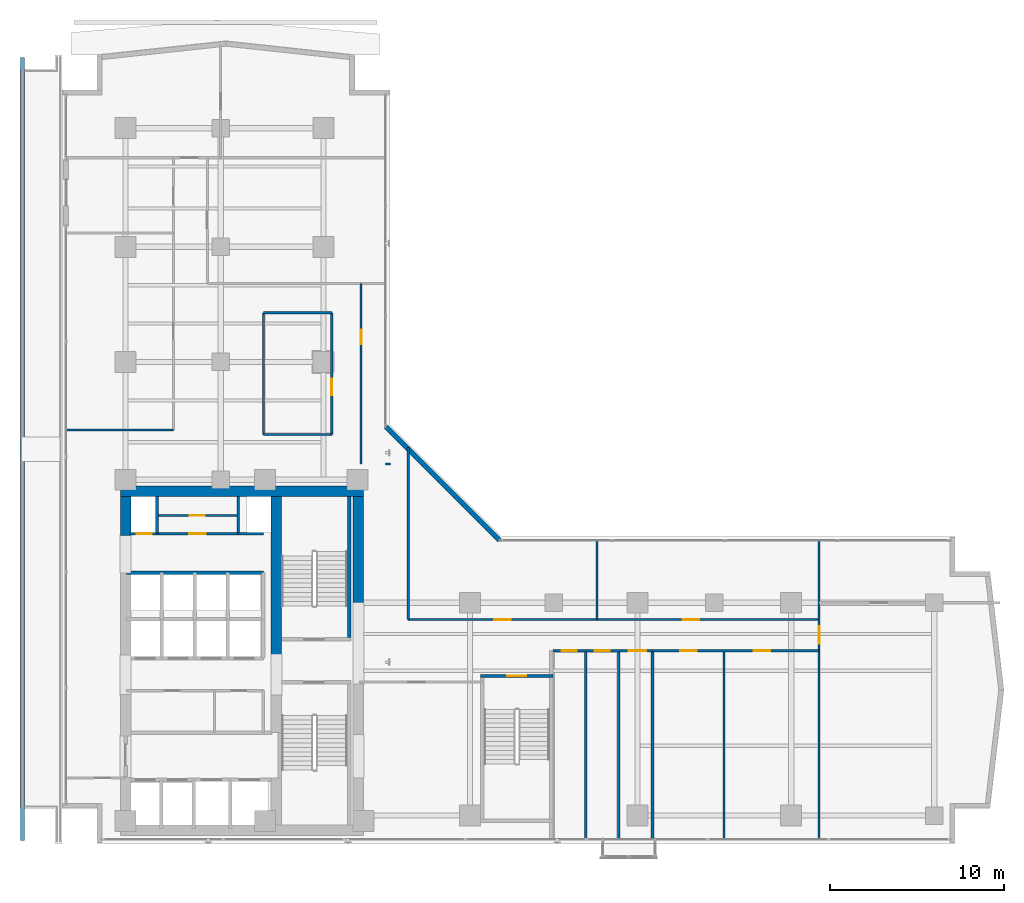
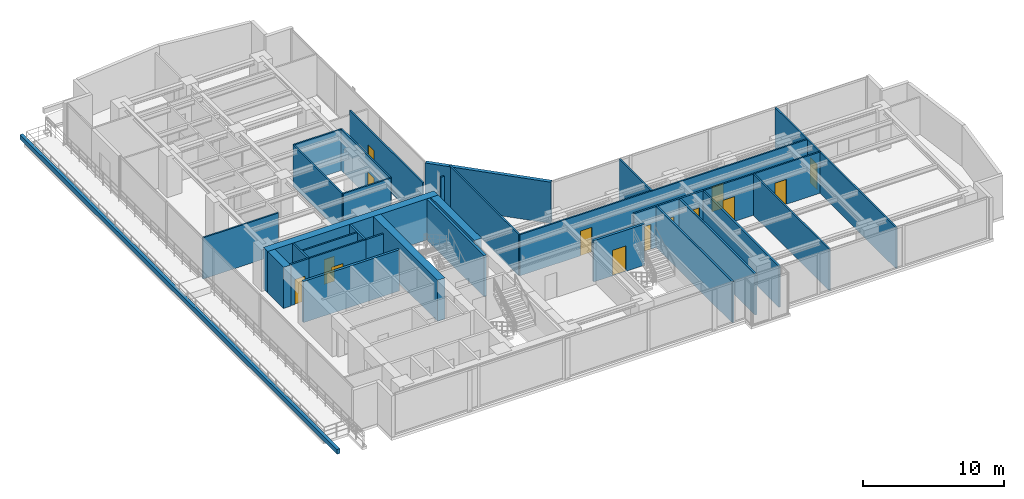
# One storey, part 21 of 28: 32 walls, 14 doors, 14 openings.
"""IFC4 building model written with IfcOpenShell, lengths in metres."""

from ifc_helpers import new_model, si_unit, direction, frame, frame_2d, origin, place, context, subcontext, project, spatial, rectangle, extrude, material, layer, layer_set, type_object, element, fill, save


model = new_model("IFC4")

# Units and contexts
model_context = context("Model", 3, precision=1e-05, world=origin(), true_north=direction((0.0, 1.0)))
body_context = subcontext(model_context, "Body", "Model", "MODEL_VIEW")
ifc_project = project(units=[si_unit("LENGTHUNIT", "METRE"), si_unit("AREAUNIT", "SQUARE_METRE"), si_unit("VOLUMEUNIT", "CUBIC_METRE"), si_unit("PLANEANGLEUNIT", "RADIAN"), si_unit("MASSUNIT", "GRAM", prefix="KILO")], contexts=[model_context])

# Site, building, storey
site_placement = place(None, origin())
site = spatial("IfcSite", under=ifc_project, at=site_placement, CompositionType="ELEMENT")
building_placement = place(site_placement, origin())
building = spatial("IfcBuilding", under=site, at=building_placement, Name="Kolvaren Waterfront Exchange", CompositionType="ELEMENT")
storey_placement = place(building_placement, frame((0.0, 0.0, 146.199951171875)))
storey = spatial("IfcBuildingStorey", under=building, at=storey_placement, Name="L37", CompositionType="ELEMENT", Elevation=146.199951171875)

# Walls
ifc_material_1 = material(Name="Precast concrete C40/50", Category="concrete")
ifc_layer_1 = layer(ifc_material_1, 0.280029296875, Name="Precast concrete C40/50")
ifc_layer_set_1 = layer_set([ifc_layer_1], Name="Precast concrete C40/50")
wall_type_1 = type_object("IfcWallType", Name="ARC-EXT-TERR-280", PredefinedType="SOLIDWALL", material=ifc_layer_set_1)
wall_1_placement = place(storey_placement, frame((28.885009765625, 20.97509765625, 0.0), z_axis=(0.0, 0.0, 1.0), x_axis=(-0.707106781187, 0.707106781187, 0.0)))
element("IfcWall", 1, at=wall_1_placement, inside=storey, type_object=wall_type_1, Name="L37 notched corner spandrel pier ELBOW", PredefinedType="SOLIDWALL", context=body_context, shape_type="SweptSolid", body=[
    extrude(rectangle(XDim=9.20654296875, YDim=0.280029296875, at=frame_2d((4.603271484375, 0.0))), origin(), (0.0, 0.0, 1.0), 3.56005859375),
])
ifc_layer_2 = layer(ifc_material_1, 0.239990234375, Name="Precast concrete C40/50")
ifc_layer_set_2 = layer_set([ifc_layer_2], Name="Precast concrete C40/50")
wall_type_2 = type_object("IfcWallType", Name="ARC-PARAPET-240", PredefinedType="PARAPET", material=ifc_layer_set_2)
wall_2_placement = place(storey_placement, frame((1.550048828125, 3.760009765625, 0.0), z_axis=(0.0, 0.0, 1.0), x_axis=(0.0, 1.0, 0.0)))
element("IfcWall", 2, at=wall_2_placement, inside=storey, type_object=wall_type_2, Name="L37 setback parapet kerb 2", PredefinedType="PARAPET", context=body_context, shape_type="SweptSolid", body=[
    extrude(rectangle(XDim=44.8798828125, YDim=0.239990234375, at=frame_2d((22.43994140625, 0.0))), origin(), (0.0, 0.0, 1.0), 0.420166015625),
])

# Wall, opening, door
ifc_material_2 = material(Name="Acoustic gypsum steel stud", Category="steel")
ifc_layer_3 = layer(ifc_material_2, 0.125, Name="Acoustic gypsum steel stud")
ifc_layer_set_3 = layer_set([ifc_layer_3], Name="Acoustic gypsum steel stud")
wall_type_3 = type_object("IfcWallType", Name="ARC-PART-125", PredefinedType="PARTITIONING", material=ifc_layer_set_3)
wall_3_placement = place(storey_placement, frame((9.25, 21.35009765625, 0.0), z_axis=(0.0, 0.0, 1.0), x_axis=(1.0, 0.0, 0.0)))
wall_3 = element("IfcWall", 3, at=wall_3_placement, inside=storey, type_object=wall_type_3, Name="L37 interior wall PW-L37-SVC-EX-S", PredefinedType="PARTITIONING", context=body_context, shape_type="SweptSolid", body=[
    extrude(rectangle(XDim=4.64990234375, YDim=0.125, at=frame_2d((2.324951171875, 0.0))), origin(), (0.0, 0.0, 1.0), 3.56005859375),
])
opening_1_placement = place(wall_3_placement, frame((1.85009765625, 0.0, 0.0)))
opening_1 = element("IfcOpeningElement", 4, at=opening_1_placement, cuts=wall_3, Name="Opening D02", PredefinedType="OPENING", context=body_context, shape_type="SweptSolid", body=[
    extrude(rectangle(XDim=0.949951171875, YDim=2.14990234375, at=frame_2d((0.47509765625, 1.074951171875))), frame((0.0, 0.072509765625, 0.0), z_axis=(0.0, -1.0, 0.0), x_axis=(1.0, 0.0, 0.0)), (0.0, 0.0, 1.0), 0.14501953125),
])
ifc_material_3 = material(Name="Oak veneer acoustic timber", Category="wood")
door_type_1 = type_object("IfcDoorType", Name="ARC-DR-950", OperationType="NOTDEFINED", PredefinedType="DOOR", material=ifc_material_3)
door_1_placement = place(opening_1_placement, origin())
door_1 = element("IfcDoor", 5, at=door_1_placement, inside=storey, type_object=door_type_1, Name="L37 door DR-L37-SVC-DR-1 (D02)", OperationType="SINGLE_SWING_RIGHT", OverallHeight=2.14990234375, OverallWidth=0.949951171875, PredefinedType="DOOR", context=body_context, shape_type="SweptSolid", body=[
    extrude(rectangle(XDim=0.949951171875, YDim=2.14990234375, at=frame_2d((0.47509765625, 1.074951171875))), frame((0.0, 0.02490234375, 0.0), z_axis=(0.0, -1.0, 0.0), x_axis=(1.0, 0.0, 0.0)), (0.0, 0.0, 1.0), 0.050048828125),
])
fill(opening_1, door_1)

wall_4_placement = place(storey_placement, frame((9.25, 22.39990234375, 0.0), z_axis=(0.0, 0.0, 1.0), x_axis=(1.0, 0.0, 0.0)))
wall_4 = element("IfcWall", 6, at=wall_4_placement, inside=storey, type_object=wall_type_3, Name="L37 interior wall PW-L37-SVC-EX-HS", PredefinedType="PARTITIONING", context=body_context, shape_type="SweptSolid", body=[
    extrude(rectangle(XDim=4.64990234375, YDim=0.125, at=frame_2d((2.324951171875, 0.0))), origin(), (0.0, 0.0, 1.0), 3.56005859375),
])
opening_2_placement = place(wall_4_placement, frame((1.875, 0.0, 0.0)))
opening_2 = element("IfcOpeningElement", 7, at=opening_2_placement, cuts=wall_4, Name="Opening D01", PredefinedType="OPENING", context=body_context, shape_type="SweptSolid", body=[
    extrude(rectangle(XDim=0.85009765625, YDim=2.14990234375, at=frame_2d((0.425048828125, 1.074951171875))), frame((0.0, 0.072509765625, 0.0), z_axis=(0.0, -1.0, 0.0), x_axis=(1.0, 0.0, 0.0)), (0.0, 0.0, 1.0), 0.14501953125),
])
ifc_material_4 = material(Name="Oak veneer timber leaf", Category="wood")
door_type_2 = type_object("IfcDoorType", Name="ARC-DR-900", OperationType="NOTDEFINED", PredefinedType="DOOR", material=ifc_material_4)
door_2_placement = place(opening_2_placement, origin())
door_2 = element("IfcDoor", 8, at=door_2_placement, inside=storey, type_object=door_type_2, Name="L37 door DR-L37-SVC-DR-2 (D01)", OperationType="SINGLE_SWING_LEFT", OverallHeight=2.14990234375, OverallWidth=0.85009765625, PredefinedType="DOOR", context=body_context, shape_type="SweptSolid", body=[
    extrude(rectangle(XDim=0.85009765625, YDim=2.14990234375, at=frame_2d((0.425048828125, 1.074951171875))), frame((0.0, 0.02490234375, 0.0), z_axis=(0.0, -1.0, 0.0), x_axis=(1.0, 0.0, 0.0)), (0.0, 0.0, 1.0), 0.050048828125),
])
fill(opening_2, door_2)

# Walls
for number, where, z_axis, x_axis, name in (
    (9, (15.35009765625, 27.050048828125, 0.0), (0.0, 0.0, 1.0), (1.0, 0.0, 0.0), "L37 interior wall PW-L37-ISL-S"),
    (10, (15.35009765625, 34.02001953125, 0.0), (0.0, 0.0, 1.0), (1.0, 0.0, 0.0), "L37 interior wall PW-L37-ISL-N"),
):
    element("IfcWall", number, at=place(storey_placement, frame(where, z_axis=z_axis, x_axis=x_axis)), inside=storey, type_object=wall_type_3, Name=name, PredefinedType="PARTITIONING", context=body_context, shape_type="SweptSolid", body=[
        extrude(rectangle(XDim=3.919921875, YDim=0.125, at=frame_2d((1.9599609375, 0.0))), origin(), (0.0, 0.0, 1.0), 3.56005859375),
    ])
wall_5_placement = place(storey_placement, frame((15.35009765625, 27.050048828125, 0.0), z_axis=(0.0, 0.0, 1.0), x_axis=(0.0, 1.0, 0.0)))
element("IfcWall", 11, at=wall_5_placement, inside=storey, type_object=wall_type_3, Name="L37 interior wall PW-L37-ISL-W", PredefinedType="PARTITIONING", context=body_context, shape_type="SweptSolid", body=[
    extrude(rectangle(XDim=6.969970703125, YDim=0.125, at=frame_2d((3.48486328125, 0.0))), origin(), (0.0, 0.0, 1.0), 3.56005859375),
])

# Wall, opening, door
wall_6_placement = place(storey_placement, frame((19.27001953125, 27.050048828125, 0.0), z_axis=(0.0, 0.0, 1.0), x_axis=(0.0, 1.0, 0.0)))
wall_6 = element("IfcWall", 12, at=wall_6_placement, inside=storey, type_object=wall_type_3, Name="L37 interior wall PW-L37-ISL-E", PredefinedType="PARTITIONING", context=body_context, shape_type="SweptSolid", body=[
    extrude(rectangle(XDim=6.969970703125, YDim=0.125, at=frame_2d((3.48486328125, 0.0))), origin(), (0.0, 0.0, 1.0), 3.56005859375),
])
opening_3_placement = place(wall_6_placement, frame((2.23681640625, 0.0, 0.0)))
opening_3 = element("IfcOpeningElement", 13, at=opening_3_placement, cuts=wall_6, Name="Opening D02", PredefinedType="OPENING", context=body_context, shape_type="SweptSolid", body=[
    extrude(rectangle(XDim=0.949951171875, YDim=2.14990234375, at=frame_2d((0.47509765625, 1.074951171875))), frame((0.0, 0.072509765625, 0.0), z_axis=(0.0, -1.0, 0.0), x_axis=(1.0, 0.0, 0.0)), (0.0, 0.0, 1.0), 0.14501953125),
])
door_3_placement = place(opening_3_placement, origin())
door_3 = element("IfcDoor", 14, at=door_3_placement, inside=storey, type_object=door_type_1, Name="L37 door DR-L37-ISL-D (D02)", OperationType="SINGLE_SWING_RIGHT", OverallHeight=2.14990234375, OverallWidth=0.949951171875, PredefinedType="DOOR", context=body_context, shape_type="SweptSolid", body=[
    extrude(rectangle(XDim=0.949951171875, YDim=2.14990234375, at=frame_2d((0.47509765625, 1.074951171875))), frame((0.0, 0.02490234375, 0.0), z_axis=(0.0, -1.0, 0.0), x_axis=(1.0, 0.0, 0.0)), (0.0, 0.0, 1.0), 0.050048828125),
])
fill(opening_3, door_3)

wall_7_placement = place(storey_placement, frame((20.949951171875, 25.35009765625, 0.0), z_axis=(0.0, 0.0, 1.0), x_axis=(0.0, 1.0, 0.0)))
wall_7 = element("IfcWall", 15, at=wall_7_placement, inside=storey, type_object=wall_type_3, Name="L37 interior wall PW-L37-RFLANK-W", PredefinedType="PARTITIONING", context=body_context, shape_type="SweptSolid", body=[
    extrude(rectangle(XDim=10.349853515625, YDim=0.125, at=frame_2d((5.1748046875, 0.0))), origin(), (0.0, 0.0, 1.0), 3.56005859375),
])
opening_4_placement = place(wall_7_placement, frame((6.859375, 0.0, 0.0)))
opening_4 = element("IfcOpeningElement", 16, at=opening_4_placement, cuts=wall_7, Name="Opening D01", PredefinedType="OPENING", context=body_context, shape_type="SweptSolid", body=[
    extrude(rectangle(XDim=0.85009765625, YDim=2.14990234375, at=frame_2d((0.425048828125, 1.074951171875))), frame((0.0, 0.072509765625, 0.0), z_axis=(0.0, -1.0, 0.0), x_axis=(1.0, 0.0, 0.0)), (0.0, 0.0, 1.0), 0.14501953125),
])
door_4_placement = place(opening_4_placement, origin())
door_4 = element("IfcDoor", 17, at=door_4_placement, inside=storey, type_object=door_type_2, Name="L37 door DR-L37-RFLANK-D (D01)", OperationType="SINGLE_SWING_RIGHT", OverallHeight=2.14990234375, OverallWidth=0.85009765625, PredefinedType="DOOR", context=body_context, shape_type="SweptSolid", body=[
    extrude(rectangle(XDim=0.85009765625, YDim=2.14990234375, at=frame_2d((0.425048828125, 1.074951171875))), frame((0.0, 0.02490234375, 0.0), z_axis=(0.0, -1.0, 0.0), x_axis=(1.0, 0.0, 0.0)), (0.0, 0.0, 1.0), 0.050048828125),
])
fill(opening_4, door_4)

# Wall
wall_8_placement = place(storey_placement, frame((22.64990234375, 25.35009765625, 0.0), z_axis=(0.0, 0.0, 1.0), x_axis=(-1.0, 0.0, 0.0)))
element("IfcWall", 18, at=wall_8_placement, inside=storey, type_object=wall_type_3, Name="L37 interior wall PW-L37-RFLANK-S", PredefinedType="PARTITIONING", context=body_context, shape_type="SweptSolid", body=[
    extrude(rectangle(XDim=0.289794921875, YDim=0.125, at=frame_2d((0.14501953125, 0.0))), origin(), (0.0, 0.0, 1.0), 3.56005859375),
])

# Wall, openings, doors
wall_9_placement = place(storey_placement, frame((37.64990234375, 14.64990234375, 0.0), z_axis=(0.0, 0.0, 1.0), x_axis=(1.0, 0.0, 0.0)))
wall_9 = element("IfcWall", 19, at=wall_9_placement, inside=storey, type_object=wall_type_3, Name="L37 interior wall PW-L37-ES-CORR", PredefinedType="PARTITIONING", context=body_context, shape_type="SweptSolid", body=[
    extrude(rectangle(XDim=9.550048828125, YDim=0.125, at=frame_2d((4.77490234375, 0.0))), origin(), (0.0, 0.0, 1.0), 3.56005859375),
])
opening_5_placement = place(wall_9_placement, frame((1.580078125, 0.0, 0.0)))
opening_5 = element("IfcOpeningElement", 20, at=opening_5_placement, cuts=wall_9, Name="Opening D02", PredefinedType="OPENING", context=body_context, shape_type="SweptSolid", body=[
    extrude(rectangle(XDim=0.949951171875, YDim=2.14990234375, at=frame_2d((0.47509765625, 1.074951171875))), frame((0.0, 0.072509765625, 0.0), z_axis=(0.0, -1.0, 0.0), x_axis=(1.0, 0.0, 0.0)), (0.0, 0.0, 1.0), 0.14501953125),
])
opening_6_placement = place(wall_9_placement, frame((5.807861328125, 0.0, 0.0)))
opening_6 = element("IfcOpeningElement", 21, at=opening_6_placement, cuts=wall_9, Name="Opening D02", PredefinedType="OPENING", context=body_context, shape_type="SweptSolid", body=[
    extrude(rectangle(XDim=0.949951171875, YDim=2.14990234375, at=frame_2d((0.47509765625, 1.074951171875))), frame((0.0, 0.072509765625, 0.0), z_axis=(0.0, -1.0, 0.0), x_axis=(1.0, 0.0, 0.0)), (0.0, 0.0, 1.0), 0.14501953125),
])
door_5_placement = place(opening_5_placement, origin())
door_5 = element("IfcDoor", 22, at=door_5_placement, inside=storey, type_object=door_type_1, Name="L37 door DR-L37-ES-D-1 (D02)", OperationType="SINGLE_SWING_LEFT", OverallHeight=2.14990234375, OverallWidth=0.949951171875, PredefinedType="DOOR", context=body_context, shape_type="SweptSolid", body=[
    extrude(rectangle(XDim=0.949951171875, YDim=2.14990234375, at=frame_2d((0.47509765625, 1.074951171875))), frame((0.0, 0.02490234375, 0.0), z_axis=(0.0, -1.0, 0.0), x_axis=(1.0, 0.0, 0.0)), (0.0, 0.0, 1.0), 0.050048828125),
])
fill(opening_5, door_5)
door_6_placement = place(opening_6_placement, origin())
door_6 = element("IfcDoor", 23, at=door_6_placement, inside=storey, type_object=door_type_1, Name="L37 door DR-L37-ES-D-2 (D02)", OperationType="SINGLE_SWING_RIGHT", OverallHeight=2.14990234375, OverallWidth=0.949951171875, PredefinedType="DOOR", context=body_context, shape_type="SweptSolid", body=[
    extrude(rectangle(XDim=0.949951171875, YDim=2.14990234375, at=frame_2d((0.47509765625, 1.074951171875))), frame((0.0, 0.02490234375, 0.0), z_axis=(0.0, -1.0, 0.0), x_axis=(1.0, 0.0, 0.0)), (0.0, 0.0, 1.0), 0.050048828125),
])
fill(opening_6, door_6)

# Wall
wall_10_placement = place(storey_placement, frame((41.760009765625, 3.840087890625, 0.0), z_axis=(0.0, 0.0, 1.0), x_axis=(0.0, 1.0, 0.0)))
element("IfcWall", 24, at=wall_10_placement, inside=storey, type_object=wall_type_3, Name="L37 interior wall PW-L37-ES-DIV-1", PredefinedType="PARTITIONING", context=body_context, shape_type="SweptSolid", body=[
    extrude(rectangle(XDim=10.809814453125, YDim=0.125, at=frame_2d((5.40478515625, 0.0))), origin(), (0.0, 0.0, 1.0), 3.56005859375),
])

# Wall, opening, door
wall_11_placement = place(storey_placement, frame((47.199951171875, 3.840087890625, 0.0), z_axis=(0.0, 0.0, 1.0), x_axis=(0.0, 1.0, 0.0)))
wall_11 = element("IfcWall", 25, at=wall_11_placement, inside=storey, type_object=wall_type_3, Name="L37 interior wall PW-L37-ETIP-W", PredefinedType="PARTITIONING", context=body_context, shape_type="SweptSolid", body=[
    extrude(rectangle(XDim=17.119873046875, YDim=0.125, at=frame_2d((8.56005859375, 0.0))), origin(), (0.0, 0.0, 1.0), 3.56005859375),
])
opening_7_placement = place(wall_11_placement, frame((11.199951171875, 0.0, 0.0)))
opening_7 = element("IfcOpeningElement", 26, at=opening_7_placement, cuts=wall_11, Name="Opening D03", PredefinedType="OPENING", context=body_context, shape_type="SweptSolid", body=[
    extrude(rectangle(XDim=1.0, YDim=2.199951171875, at=frame_2d((0.5, 1.10009765625))), frame((0.0, 0.072509765625, 0.0), z_axis=(0.0, -1.0, 0.0), x_axis=(1.0, 0.0, 0.0)), (0.0, 0.0, 1.0), 0.14501953125),
])
ifc_material_5 = material(Name="Oak veneer accessible timber", Category="wood")
door_type_3 = type_object("IfcDoorType", Name="ARC-DR-1000", OperationType="NOTDEFINED", PredefinedType="DOOR", material=ifc_material_5)
door_7_placement = place(opening_7_placement, origin())
door_7 = element("IfcDoor", 27, at=door_7_placement, inside=storey, type_object=door_type_3, Name="L37 door DR-L37-ETIP1-D (D03)", OperationType="SINGLE_SWING_LEFT", OverallHeight=2.199951171875, OverallWidth=1.0, PredefinedType="DOOR", context=body_context, shape_type="SweptSolid", body=[
    extrude(rectangle(XDim=1.0, YDim=2.199951171875, at=frame_2d((0.5, 1.10009765625))), frame((0.0, 0.02490234375, 0.0), z_axis=(0.0, -1.0, 0.0), x_axis=(1.0, 0.0, 0.0)), (0.0, 0.0, 1.0), 0.050048828125),
])
fill(opening_7, door_7)

# Wall
wall_12_placement = place(storey_placement, frame((23.64990234375, 16.429931640625, 0.0), z_axis=(0.0, 0.0, 1.0), x_axis=(0.0, 1.0, 0.0)))
element("IfcWall", 28, at=wall_12_placement, inside=storey, type_object=wall_type_3, Name="L37 interior wall PW-L37-EN-W0", PredefinedType="PARTITIONING", context=body_context, shape_type="SweptSolid", body=[
    extrude(rectangle(XDim=9.880126953125, YDim=0.125, at=frame_2d((4.93994140625, 0.0))), origin(), (0.0, 0.0, 1.0), 3.56005859375),
])

# Wall, openings, doors
wall_13_placement = place(storey_placement, frame((23.64990234375, 16.429931640625, 0.0), z_axis=(0.0, 0.0, 1.0), x_axis=(1.0, 0.0, 0.0)))
wall_13 = element("IfcWall", 29, at=wall_13_placement, inside=storey, type_object=wall_type_3, Name="L37 interior wall PW-L37-EN-CORR", PredefinedType="PARTITIONING", context=body_context, shape_type="SweptSolid", body=[
    extrude(rectangle(XDim=23.550048828125, YDim=0.125, at=frame_2d((11.77490234375, 0.0))), origin(), (0.0, 0.0, 1.0), 3.56005859375),
])
opening_8_placement = place(wall_13_placement, frame((4.93994140625, 0.0, 0.0)))
opening_8 = element("IfcOpeningElement", 30, at=opening_8_placement, cuts=wall_13, Name="Opening D02", PredefinedType="OPENING", context=body_context, shape_type="SweptSolid", body=[
    extrude(rectangle(XDim=0.949951171875, YDim=2.14990234375, at=frame_2d((0.47509765625, 1.074951171875))), frame((0.0, 0.072509765625, 0.0), z_axis=(0.0, -1.0, 0.0), x_axis=(1.0, 0.0, 0.0)), (0.0, 0.0, 1.0), 0.14501953125),
])
opening_9_placement = place(wall_13_placement, frame((15.73046875, 0.0, 0.0)))
opening_9 = element("IfcOpeningElement", 31, at=opening_9_placement, cuts=wall_13, Name="Opening D02", PredefinedType="OPENING", context=body_context, shape_type="SweptSolid", body=[
    extrude(rectangle(XDim=0.949951171875, YDim=2.14990234375, at=frame_2d((0.47509765625, 1.074951171875))), frame((0.0, 0.072509765625, 0.0), z_axis=(0.0, -1.0, 0.0), x_axis=(1.0, 0.0, 0.0)), (0.0, 0.0, 1.0), 0.14501953125),
])
door_8_placement = place(opening_8_placement, origin())
door_8 = element("IfcDoor", 32, at=door_8_placement, inside=storey, type_object=door_type_1, Name="L37 door DR-L37-EN-D-1 (D02)", OperationType="SINGLE_SWING_LEFT", OverallHeight=2.14990234375, OverallWidth=0.949951171875, PredefinedType="DOOR", context=body_context, shape_type="SweptSolid", body=[
    extrude(rectangle(XDim=0.949951171875, YDim=2.14990234375, at=frame_2d((0.47509765625, 1.074951171875))), frame((0.0, 0.02490234375, 0.0), z_axis=(0.0, -1.0, 0.0), x_axis=(1.0, 0.0, 0.0)), (0.0, 0.0, 1.0), 0.050048828125),
])
fill(opening_8, door_8)
door_9_placement = place(opening_9_placement, origin())
door_9 = element("IfcDoor", 33, at=door_9_placement, inside=storey, type_object=door_type_1, Name="L37 door DR-L37-EN-D-2 (D02)", OperationType="SINGLE_SWING_RIGHT", OverallHeight=2.14990234375, OverallWidth=0.949951171875, PredefinedType="DOOR", context=body_context, shape_type="SweptSolid", body=[
    extrude(rectangle(XDim=0.949951171875, YDim=2.14990234375, at=frame_2d((0.47509765625, 1.074951171875))), frame((0.0, 0.02490234375, 0.0), z_axis=(0.0, -1.0, 0.0), x_axis=(1.0, 0.0, 0.0)), (0.0, 0.0, 1.0), 0.050048828125),
])
fill(opening_9, door_9)

# Walls
wall_14_placement = place(storey_placement, frame((34.47998046875, 16.429931640625, 0.0), z_axis=(0.0, 0.0, 1.0), x_axis=(0.0, 1.0, 0.0)))
element("IfcWall", 34, at=wall_14_placement, inside=storey, type_object=wall_type_3, Name="L37 interior wall PW-L37-EN-DIV-1", PredefinedType="PARTITIONING", context=body_context, shape_type="SweptSolid", body=[
    extrude(rectangle(XDim=4.530029296875, YDim=0.125, at=frame_2d((2.26513671875, 0.0))), origin(), (0.0, 0.0, 1.0), 3.56005859375),
])
wall_15_placement = place(storey_placement, frame((4.0400390625, 27.300048828125, 0.0), z_axis=(0.0, 0.0, 1.0), x_axis=(1.0, 0.0, 0.0)))
element("IfcWall", 35, at=wall_15_placement, inside=storey, type_object=wall_type_3, Name="L37 interior wall PW-L37-NW-S0", PredefinedType="PARTITIONING", context=body_context, shape_type="SweptSolid", body=[
    extrude(rectangle(XDim=6.159912109375, YDim=0.125, at=frame_2d((3.080078125, 0.0))), origin(), (0.0, 0.0, 1.0), 3.56005859375),
])
ifc_material_6 = material(Name="Gypsum fireboard steel stud", Category="steel")
ifc_layer_4 = layer(ifc_material_6, 0.14990234375, Name="Gypsum fireboard steel stud")
ifc_layer_set_4 = layer_set([ifc_layer_4], Name="Gypsum fireboard steel stud")
wall_type_4 = type_object("IfcWallType", Name="ARC-PART-150", PredefinedType="PARTITIONING", material=ifc_layer_set_4)
for number, where, z_axis, x_axis, name in (
    (36, (9.25, 21.35009765625, 0.0), (0.0, 0.0, 1.0), (0.0, 1.0, 0.0), "L37 interior wall PW-L37-SVC-R1"),
    (37, (13.89990234375, 21.35009765625, 0.0), (0.0, 0.0, 1.0), (0.0, 1.0, 0.0), "L37 interior wall PW-L37-SVC-R2"),
):
    element("IfcWall", number, at=place(storey_placement, frame(where, z_axis=z_axis, x_axis=x_axis)), inside=storey, type_object=wall_type_4, Name=name, PredefinedType="PARTITIONING", context=body_context, shape_type="SweptSolid", body=[
        extrude(rectangle(XDim=2.1298828125, YDim=0.14990234375, at=frame_2d((1.06494140625, 0.0))), origin(), (0.0, 0.0, 1.0), 3.56005859375),
    ])

# Wall, opening, door
wall_16_placement = place(storey_placement, frame((7.699951171875, 21.35009765625, 0.0), z_axis=(0.0, 0.0, 1.0), x_axis=(1.0, 0.0, 0.0)))
wall_16 = element("IfcWall", 38, at=wall_16_placement, inside=storey, type_object=wall_type_4, Name="L37 interior wall PW-L37-SVC-RE-S", PredefinedType="PARTITIONING", context=body_context, shape_type="SweptSolid", body=[
    extrude(rectangle(XDim=1.550048828125, YDim=0.14990234375, at=frame_2d((0.77490234375, 0.0))), origin(), (0.0, 0.0, 1.0), 3.56005859375),
])
opening_10_placement = place(wall_16_placement, frame((0.389892578125, 0.0, 0.0)))
opening_10 = element("IfcOpeningElement", 39, at=opening_10_placement, cuts=wall_16, Name="Opening FD1", PredefinedType="OPENING", context=body_context, shape_type="SweptSolid", body=[
    extrude(rectangle(XDim=0.85009765625, YDim=2.14990234375, at=frame_2d((0.425048828125, 1.074951171875))), frame((0.0, 0.0849609375, 0.0), z_axis=(0.0, -1.0, 0.0), x_axis=(1.0, 0.0, 0.0)), (0.0, 0.0, 1.0), 0.169921875),
])
ifc_material_7 = material(Name="Pressed steel fire leaf", Category="steel")
door_type_4 = type_object("IfcDoorType", Name="ARC-FD-900", OperationType="NOTDEFINED", PredefinedType="DOOR", material=ifc_material_7)
door_10_placement = place(opening_10_placement, origin())
door_10 = element("IfcDoor", 40, at=door_10_placement, inside=storey, type_object=door_type_4, Name="L37 door DR-L37-RISER-E-DR (FD1)", OperationType="SINGLE_SWING_LEFT", OverallHeight=2.14990234375, OverallWidth=0.85009765625, PredefinedType="DOOR", context=body_context, shape_type="SweptSolid", body=[
    extrude(rectangle(XDim=0.85009765625, YDim=2.14990234375, at=frame_2d((0.425048828125, 1.074951171875))), frame((0.0, 0.02490234375, 0.0), z_axis=(0.0, -1.0, 0.0), x_axis=(1.0, 0.0, 0.0)), (0.0, 0.0, 1.0), 0.050048828125),
])
fill(opening_10, door_10)

# Wall
wall_17_placement = place(storey_placement, frame((13.89990234375, 21.35009765625, 0.0), z_axis=(0.0, 0.0, 1.0), x_axis=(1.0, 0.0, 0.0)))
element("IfcWall", 41, at=wall_17_placement, inside=storey, type_object=wall_type_4, Name="L37 interior wall PW-L37-SVC-RP-S", PredefinedType="PARTITIONING", context=body_context, shape_type="SweptSolid", body=[
    extrude(rectangle(XDim=1.4501953125, YDim=0.14990234375, at=frame_2d((0.72509765625, 0.0))), origin(), (0.0, 0.0, 1.0), 3.56005859375),
])

# Wall, openings, doors
ifc_material_8 = material(Name="Moisture-resistant gypsum stud")
ifc_layer_5 = layer(ifc_material_8, 0.14990234375, Name="Moisture-resistant gypsum stud")
ifc_layer_set_5 = layer_set([ifc_layer_5], Name="Moisture-resistant gypsum stud")
wall_type_5 = type_object("IfcWallType", Name="ARC-PLUMB-150", PredefinedType="PLUMBINGWALL", material=ifc_layer_set_5)
wall_18_placement = place(storey_placement, frame((31.949951171875, 14.64990234375, 0.0), z_axis=(0.0, 0.0, 1.0), x_axis=(1.0, 0.0, 0.0)))
wall_18 = element("IfcWall", 42, at=wall_18_placement, inside=storey, type_object=wall_type_5, Name="L37 interior wall PW-L37-WC-N", PredefinedType="PLUMBINGWALL", context=body_context, shape_type="SweptSolid", body=[
    extrude(rectangle(XDim=5.699951171875, YDim=0.14990234375, at=frame_2d((2.85009765625, 0.0))), origin(), (0.0, 0.0, 1.0), 3.56005859375),
])
opening_11_placement = place(wall_18_placement, frame((0.514892578125, 0.0, 0.0)))
opening_11 = element("IfcOpeningElement", 43, at=opening_11_placement, cuts=wall_18, Name="Opening D01", PredefinedType="OPENING", context=body_context, shape_type="SweptSolid", body=[
    extrude(rectangle(XDim=0.85009765625, YDim=2.14990234375, at=frame_2d((0.425048828125, 1.074951171875))), frame((0.0, 0.0849609375, 0.0), z_axis=(0.0, -1.0, 0.0), x_axis=(1.0, 0.0, 0.0)), (0.0, 0.0, 1.0), 0.169921875),
])
opening_12_placement = place(wall_18_placement, frame((2.39501953125, 0.0, 0.0)))
opening_12 = element("IfcOpeningElement", 44, at=opening_12_placement, cuts=wall_18, Name="Opening D01", PredefinedType="OPENING", context=body_context, shape_type="SweptSolid", body=[
    extrude(rectangle(XDim=0.85009765625, YDim=2.14990234375, at=frame_2d((0.425048828125, 1.074951171875))), frame((0.0, 0.0849609375, 0.0), z_axis=(0.0, -1.0, 0.0), x_axis=(1.0, 0.0, 0.0)), (0.0, 0.0, 1.0), 0.169921875),
])
opening_13_placement = place(wall_18_placement, frame((4.35009765625, 0.0, 0.0)))
opening_13 = element("IfcOpeningElement", 45, at=opening_13_placement, cuts=wall_18, Name="Opening D03", PredefinedType="OPENING", context=body_context, shape_type="SweptSolid", body=[
    extrude(rectangle(XDim=1.0, YDim=2.199951171875, at=frame_2d((0.5, 1.10009765625))), frame((0.0, 0.0849609375, 0.0), z_axis=(0.0, -1.0, 0.0), x_axis=(1.0, 0.0, 0.0)), (0.0, 0.0, 1.0), 0.169921875),
])
door_11_placement = place(opening_13_placement, origin())
door_11 = element("IfcDoor", 46, at=door_11_placement, inside=storey, type_object=door_type_3, Name="L37 door DR-L37-WCA-D (D03)", OperationType="SINGLE_SWING_LEFT", OverallHeight=2.199951171875, OverallWidth=1.0, PredefinedType="DOOR", context=body_context, shape_type="SweptSolid", body=[
    extrude(rectangle(XDim=1.0, YDim=2.199951171875, at=frame_2d((0.5, 1.10009765625))), frame((0.0, 0.02490234375, 0.0), z_axis=(0.0, -1.0, 0.0), x_axis=(1.0, 0.0, 0.0)), (0.0, 0.0, 1.0), 0.050048828125),
])
fill(opening_13, door_11)
door_12_placement = place(opening_11_placement, origin())
door_12 = element("IfcDoor", 47, at=door_12_placement, inside=storey, type_object=door_type_2, Name="L37 door DR-L37-WCM-D (D01)", OperationType="SINGLE_SWING_LEFT", OverallHeight=2.14990234375, OverallWidth=0.85009765625, PredefinedType="DOOR", context=body_context, shape_type="SweptSolid", body=[
    extrude(rectangle(XDim=0.85009765625, YDim=2.14990234375, at=frame_2d((0.425048828125, 1.074951171875))), frame((0.0, 0.02490234375, 0.0), z_axis=(0.0, -1.0, 0.0), x_axis=(1.0, 0.0, 0.0)), (0.0, 0.0, 1.0), 0.050048828125),
])
fill(opening_11, door_12)
door_13_placement = place(opening_12_placement, origin())
door_13 = element("IfcDoor", 48, at=door_13_placement, inside=storey, type_object=door_type_2, Name="L37 door DR-L37-WCF-D (D01)", OperationType="SINGLE_SWING_RIGHT", OverallHeight=2.14990234375, OverallWidth=0.85009765625, PredefinedType="DOOR", context=body_context, shape_type="SweptSolid", body=[
    extrude(rectangle(XDim=0.85009765625, YDim=2.14990234375, at=frame_2d((0.425048828125, 1.074951171875))), frame((0.0, 0.02490234375, 0.0), z_axis=(0.0, -1.0, 0.0), x_axis=(1.0, 0.0, 0.0)), (0.0, 0.0, 1.0), 0.050048828125),
])
fill(opening_12, door_13)

# Walls
for number, where, z_axis, x_axis, name in (
    (49, (33.830078125, 3.840087890625, 0.0), (0.0, 0.0, 1.0), (0.0, 1.0, 0.0), "L37 interior wall PW-L37-WC-1"),
    (50, (35.7099609375, 3.840087890625, 0.0), (0.0, 0.0, 1.0), (0.0, 1.0, 0.0), "L37 interior wall PW-L37-WC-2"),
    (51, (37.64990234375, 3.840087890625, 0.0), (0.0, 0.0, 1.0), (0.0, 1.0, 0.0), "L37 interior wall PW-L37-WC-3"),
):
    element("IfcWall", number, at=place(storey_placement, frame(where, z_axis=z_axis, x_axis=x_axis)), inside=storey, type_object=wall_type_5, Name=name, PredefinedType="PLUMBINGWALL", context=body_context, shape_type="SweptSolid", body=[
        extrude(rectangle(XDim=10.809814453125, YDim=0.14990234375, at=frame_2d((5.40478515625, 0.0))), origin(), (0.0, 0.0, 1.0), 3.56005859375),
    ])
ifc_material_9 = material(Name="Concrete C40/50", Category="concrete")
ifc_layer_6 = layer(ifc_material_9, 0.199951171875, Name="Concrete C40/50")
ifc_layer_set_6 = layer_set([ifc_layer_6], Name="Concrete C40/50")
wall_type_6 = type_object("IfcWallType", Name="ARC-SHAFT-200", PredefinedType="PARTITIONING", material=ifc_layer_set_6)
wall_19_placement = place(storey_placement, frame((20.260009765625, 15.39990234375, 0.0), z_axis=(0.0, 0.0, 1.0), x_axis=(0.0, 1.0, 0.0)))
element("IfcWall", 52, at=wall_19_placement, inside=storey, type_object=wall_type_6, Name="L37 structural stairwell wall PW-L37-ST2-E", PredefinedType="SHEAR", context=body_context, shape_type="SweptSolid", body=[
    extrude(rectangle(XDim=8.090087890625, YDim=0.199951171875, at=frame_2d((4.044921875, 0.0))), origin(), (0.0, 0.0, 1.0), 3.56005859375),
])

# Wall, opening, door
wall_20_placement = place(storey_placement, frame((27.800048828125, 13.199951171875, 0.0), z_axis=(0.0, 0.0, 1.0), x_axis=(1.0, 0.0, 0.0)))
wall_20 = element("IfcWall", 53, at=wall_20_placement, inside=storey, type_object=wall_type_6, Name="L37 structural stairwell wall PW-L37-ST3-N", PredefinedType="SHEAR", context=body_context, shape_type="SweptSolid", body=[
    extrude(rectangle(XDim=4.159912109375, YDim=0.199951171875, at=frame_2d((2.080078125, 0.0))), origin(), (0.0, 0.0, 1.0), 3.56005859375),
])
opening_14_placement = place(wall_20_placement, frame((1.530029296875, 0.0, 0.0)))
opening_14 = element("IfcOpeningElement", 54, at=opening_14_placement, cuts=wall_20, Name="Opening FD2", PredefinedType="OPENING", context=body_context, shape_type="SweptSolid", body=[
    extrude(rectangle(XDim=1.10009765625, YDim=2.199951171875, at=frame_2d((0.550048828125, 1.10009765625))), frame((0.0, 0.10986328125, 0.0), z_axis=(0.0, -1.0, 0.0), x_axis=(1.0, 0.0, 0.0)), (0.0, 0.0, 1.0), 0.219970703125),
])
ifc_material_10 = material(Name="Pressed steel smoke-seal fire door", Category="steel")
door_type_5 = type_object("IfcDoorType", Name="ARC-FD-1100", OperationType="NOTDEFINED", PredefinedType="DOOR", material=ifc_material_10)
door_14_placement = place(opening_14_placement, frame((1.10009765625, 0.0, 0.0), z_axis=(0.0, 0.0, 1.0), x_axis=(-1.0, 0.0, 0.0)))
door_14 = element("IfcDoor", 55, at=door_14_placement, inside=storey, type_object=door_type_5, Name="L37 door DR-L37-ST3-IN (FD2)", OperationType="SINGLE_SWING_LEFT", OverallHeight=2.199951171875, OverallWidth=1.10009765625, PredefinedType="DOOR", context=body_context, shape_type="SweptSolid", body=[
    extrude(rectangle(XDim=1.10009765625, YDim=2.199951171875, at=frame_2d((0.550048828125, 1.10009765625))), frame((0.0, 0.02490234375, 0.0), z_axis=(0.0, -1.0, 0.0), x_axis=(1.0, 0.0, 0.0)), (0.0, 0.0, 1.0), 0.050048828125),
])
fill(opening_14, door_14)

# Walls
wall_21_placement = place(storey_placement, frame((7.5, 19.1201171875, 0.0), z_axis=(0.0, 0.0, 1.0), x_axis=(1.0, 0.0, 0.0)))
element("IfcWall", 56, at=wall_21_placement, inside=storey, type_object=wall_type_6, Name="L37 interior wall PW-L37-PH-N", PredefinedType="PARTITIONING", context=body_context, shape_type="SweptSolid", body=[
    extrude(rectangle(XDim=7.85009765625, YDim=0.199951171875, at=frame_2d((3.925048828125, 0.0))), origin(), (0.0, 0.0, 1.0), 3.56005859375),
])
ifc_material_11 = material(Name="Concrete C60/75", Category="concrete")
ifc_layer_7 = layer(ifc_material_11, 0.60009765625, Name="Concrete C60/75")
ifc_layer_set_7 = layer_set([ifc_layer_7], Name="Concrete C60/75")
wall_type_7 = type_object("IfcWallType", Name="STR-CWALL-600", PredefinedType="SHEAR", material=ifc_layer_set_7)
wall_22_placement = place(storey_placement, frame((7.14990234375, 23.800048828125, 0.0), z_axis=(0.0, 0.0, 1.0), x_axis=(1.0, 0.0, 0.0)))
element("IfcWall", 57, at=wall_22_placement, inside=storey, type_object=wall_type_7, Name="L37 rear-core shear wall N", PredefinedType="SHEAR", context=body_context, shape_type="SweptSolid", body=[
    extrude(rectangle(XDim=13.9501953125, YDim=0.60009765625, at=frame_2d((6.97509765625, 0.0))), origin(), (0.0, 0.0, 1.0), 3.56005859375),
])
wall_23_placement = place(storey_placement, frame((7.449951171875, 21.239990234375, 0.0), z_axis=(0.0, 0.0, 1.0), x_axis=(0.0, 1.0, 0.0)))
element("IfcWall", 58, at=wall_23_placement, inside=storey, type_object=wall_type_7, Name="L37 rear-core shear wall W3", PredefinedType="SHEAR", context=body_context, shape_type="SweptSolid", body=[
    extrude(rectangle(XDim=2.260009765625, YDim=0.60009765625, at=frame_2d((1.1298828125, 0.0))), origin(), (0.0, 0.0, 1.0), 3.56005859375),
])
wall_24_placement = place(storey_placement, frame((20.800048828125, 17.35009765625, 0.0), z_axis=(0.0, 0.0, 1.0), x_axis=(0.0, 1.0, 0.0)))
element("IfcWall", 59, at=wall_24_placement, inside=storey, type_object=wall_type_7, Name="L37 rear-core shear wall E3", PredefinedType="SHEAR", context=body_context, shape_type="SweptSolid", body=[
    extrude(rectangle(XDim=6.14990234375, YDim=0.60009765625, at=frame_2d((3.074951171875, 0.0))), origin(), (0.0, 0.0, 1.0), 3.56005859375),
])
wall_25_placement = place(storey_placement, frame((16.10009765625, 14.39990234375, 0.0), z_axis=(0.0, 0.0, 1.0), x_axis=(0.0, 1.0, 0.0)))
element("IfcWall", 60, at=wall_25_placement, inside=storey, type_object=wall_type_7, Name="L37 rear-core shear wall M3", PredefinedType="SHEAR", context=body_context, shape_type="SweptSolid", body=[
    extrude(rectangle(XDim=9.10009765625, YDim=0.60009765625, at=frame_2d((4.550048828125, 0.0))), origin(), (0.0, 0.0, 1.0), 3.56005859375),
])

save(model, "model.ifc")
